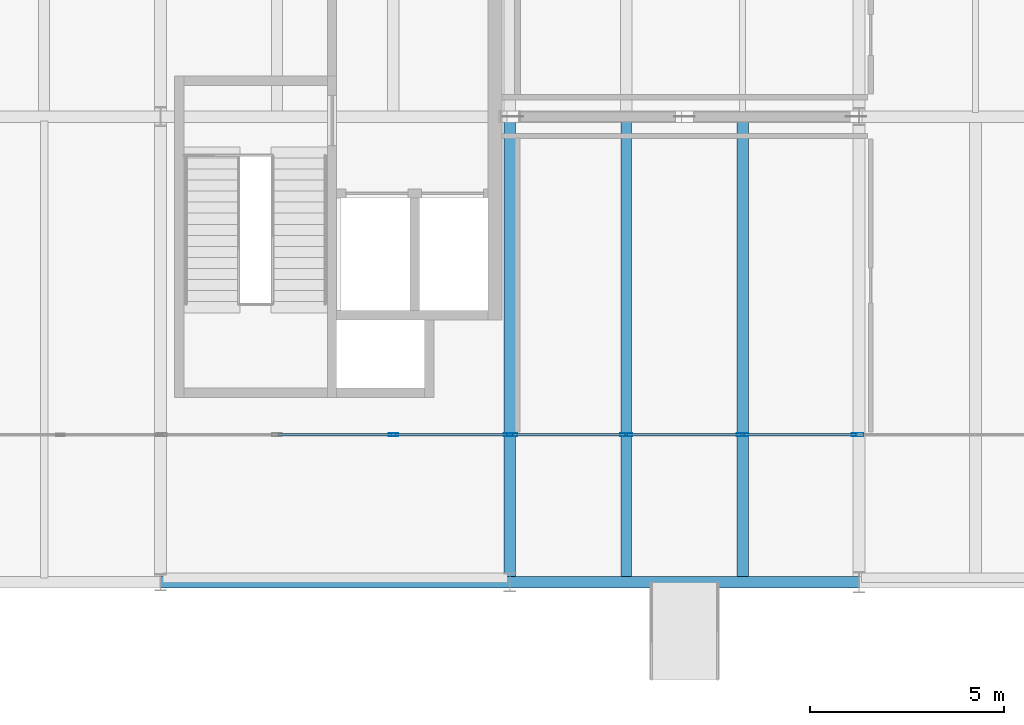
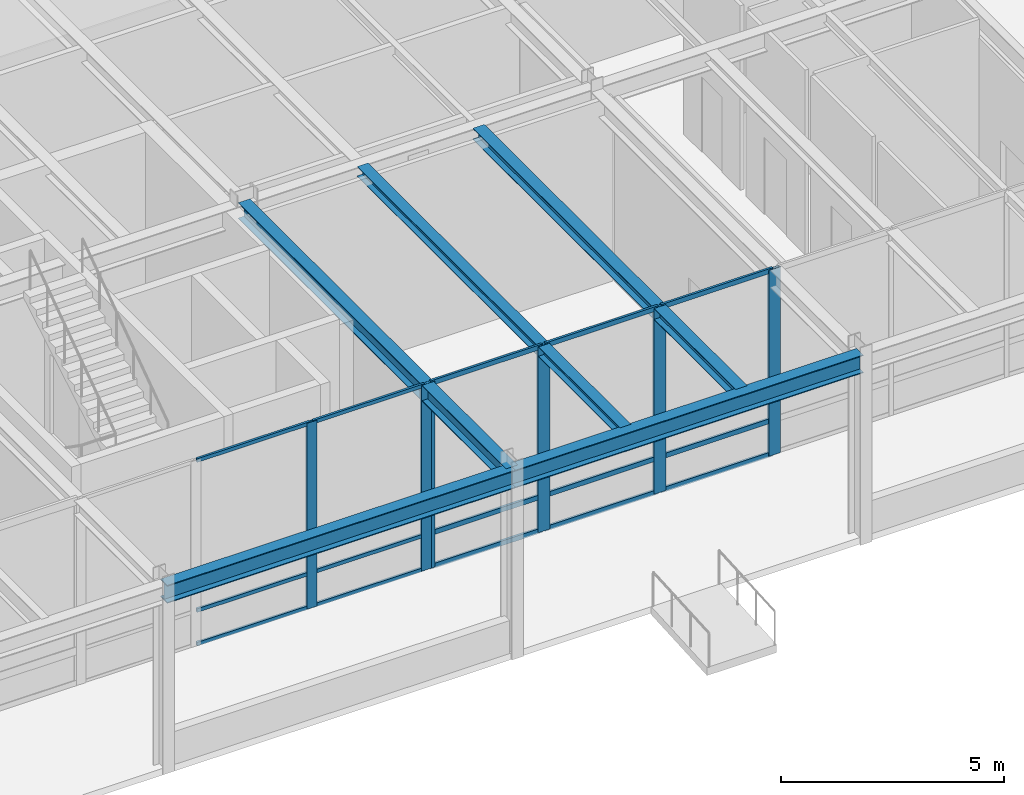
# One storey, part 35 of 143: 21 members, 5 beams, 2 elements without a shape of their own.
"""IFC4 building model written with IfcOpenShell, lengths in metres."""

from ifc_helpers import new_model, si_unit, direction, frame, origin, origin_2d, place, context, subcontext, project, spatial, hollow_rectangle, i_section, extrude, material, layer, layer_set, material_profile, profile_set, type_object, element, aggregate, save


model = new_model("IFC4")

# Units and contexts
model_context = context("Model", 3, precision=1e-05, world=origin(), true_north=direction((0.0, 1.0)))
body_context = subcontext(model_context, "Body", "Model", "MODEL_VIEW")
ifc_project = project(units=[si_unit("LENGTHUNIT", "METRE"), si_unit("AREAUNIT", "SQUARE_METRE"), si_unit("VOLUMEUNIT", "CUBIC_METRE"), si_unit("PLANEANGLEUNIT", "RADIAN"), si_unit("MASSUNIT", "GRAM", prefix="KILO")], contexts=[model_context])

# Site, building, storey
site_placement = place(None, origin())
site = spatial("IfcSite", under=ifc_project, at=site_placement, CompositionType="ELEMENT")
building_placement = place(site_placement, origin())
building = spatial("IfcBuilding", under=site, at=building_placement, Name="Montelvaro Courts of Justice", CompositionType="ELEMENT")
storey_placement = place(building_placement, origin())
storey = spatial("IfcBuildingStorey", under=building, at=storey_placement, Name="L00", CompositionType="ELEMENT", Elevation=0.0)

# Beams
ifc_material_1 = material(Name="Steel S355", Category="steel")
ifc_material_profile_1 = material_profile(ifc_material_1, i_section(OverallWidth=0.280029296875, OverallDepth=0.27001953125, WebThickness=0.008056640625, FlangeThickness=0.012939453125, at=origin_2d()), Name="HEA 280")
ifc_profile_set_1 = profile_set([ifc_material_profile_1], Name="Steel S355")
beam_type_1 = type_object("IfcBeamType", Name="Beam_HEA280", PredefinedType="BEAM", material=ifc_profile_set_1)
beam_1_placement = place(storey_placement, frame((120.0, 0.110107421875, 4.945068359375), z_axis=(0.0, 1.0, 0.0), x_axis=(-1.0, 0.0, 0.0)))
element("IfcBeam", 1, at=beam_1_placement, inside=storey, type_object=beam_type_1, Name="Beam B-14 L00", PredefinedType="BEAM", context=body_context, shape_type="SweptSolid", body=[
    extrude(i_section(OverallWidth=0.280029296875, OverallDepth=0.27001953125, WebThickness=0.008056640625, FlangeThickness=0.012939453125, at=origin_2d()), origin(), (0.0, 0.0, 1.0), 11.77978515625),
])
ifc_material_profile_2 = material_profile(ifc_material_1, i_section(OverallWidth=0.300048828125, OverallDepth=0.31005859375, WebThickness=0.009033203125, FlangeThickness=0.015380859375, at=origin_2d()), Name="HEA 320")
ifc_profile_set_2 = profile_set([ifc_material_profile_2], Name="Steel S355")
beam_type_2 = type_object("IfcBeamType", Name="Beam_HEA320", PredefinedType="BEAM", material=ifc_profile_set_2)
beam_2_placement = place(storey_placement, frame((123.0, 0.110107421875, 4.925048828125), z_axis=(0.0, 1.0, 0.0), x_axis=(-1.0, 0.0, 0.0)))
element("IfcBeam", 2, at=beam_2_placement, inside=storey, type_object=beam_type_2, Name="Beam B-15 L00", PredefinedType="BEAM", context=body_context, shape_type="SweptSolid", body=[
    extrude(i_section(OverallWidth=0.300048828125, OverallDepth=0.31005859375, WebThickness=0.009033203125, FlangeThickness=0.015380859375, at=origin_2d()), origin(), (0.0, 0.0, 1.0), 11.77978515625),
])
ifc_material_profile_3 = material_profile(ifc_material_1, i_section(OverallWidth=0.300048828125, OverallDepth=0.43994140625, WebThickness=0.011474609375, FlangeThickness=0.02099609375, at=origin_2d()), Name="HEA 450")
ifc_profile_set_3 = profile_set([ifc_material_profile_3], Name="Steel S355")
beam_type_3 = type_object("IfcBeamType", Name="Beam_HEA450", PredefinedType="USERDEFINED", material=ifc_profile_set_3)
beam_3_placement = place(storey_placement, frame((117.0, 0.0, 4.860107421875), z_axis=(0.0, 1.0, 0.0), x_axis=(-1.0, 0.0, 0.0)))
element("IfcBeam", 3, at=beam_3_placement, inside=storey, type_object=beam_type_3, Name="Beam B-18 L00", ObjectType="GIRDER", PredefinedType="USERDEFINED", context=body_context, shape_type="SweptSolid", body=[
    extrude(i_section(OverallWidth=0.300048828125, OverallDepth=0.43994140625, WebThickness=0.011474609375, FlangeThickness=0.02099609375, at=origin_2d()), origin(), (0.0, 0.0, 1.0), 12.0),
])
ifc_material_profile_4 = material_profile(ifc_material_1, i_section(OverallWidth=0.300048828125, OverallDepth=0.489990234375, WebThickness=0.011962890625, FlangeThickness=0.02294921875, at=origin_2d()), Name="HEA 500")
ifc_profile_set_4 = profile_set([ifc_material_profile_4], Name="Steel S355")
beam_type_4 = type_object("IfcBeamType", Name="Beam_HEA500", PredefinedType="USERDEFINED", material=ifc_profile_set_4)
for number, where, z_axis, x_axis, name in (
    (4, (108.0, 0.0, 4.8349609375), (1.0, 0.0, 0.0), (0.0, 1.0, 0.0), "Beam B-19 L00"),
    (5, (117.0, 0.0, 4.8349609375), (1.0, 0.0, 0.0), (0.0, 1.0, 0.0), "Beam B-19 L00"),
):
    element("IfcBeam", number, at=place(storey_placement, frame(where, z_axis=z_axis, x_axis=x_axis)), inside=storey, type_object=beam_type_4, Name=name, ObjectType="GIRDER", PredefinedType="USERDEFINED", context=body_context, shape_type="SweptSolid", body=[
        extrude(i_section(OverallWidth=0.300048828125, OverallDepth=0.489990234375, WebThickness=0.011962890625, FlangeThickness=0.02294921875, at=origin_2d()), origin(), (0.0, 0.0, 1.0), 9.0),
    ])

# Curtain wall, members
ifc_material_2 = material(Name="Anodised aluminium EN AW-6063", Category="aluminium")
ifc_layer = layer(ifc_material_2, 0.159912109375)
ifc_layer_set = layer_set([ifc_layer], Name="Anodised aluminium EN AW-6063")
curtain_wall_type = type_object("IfcCurtainWallType", Name="CurtainWall_11_900x508", PredefinedType="USERDEFINED", material=ifc_layer_set)
curtain_wall_1_placement = place(storey_placement, origin())
curtain_wall_1 = element("IfcCurtainWall", 6, at=curtain_wall_1_placement, inside=storey, type_object=curtain_wall_type, Name="Curtain Wall CW-11 (L00)", ObjectType="CURTAIN WALL", PredefinedType="USERDEFINED")
ifc_material_profile_5 = material_profile(ifc_material_2, hollow_rectangle(XDim=0.074951171875, YDim=0.25, WallThickness=0.005615234375, at=origin_2d()), Name="ALU-M 75x250")
ifc_profile_set_5 = profile_set([ifc_material_profile_5], Name="Anodised aluminium EN AW-6063")
member_type_1 = type_object("IfcMemberType", Name="CurtainWall_Mullion_75x250", PredefinedType="MULLION", material=ifc_profile_set_5)
member_1_placement = place(storey_placement, frame((114.0, 3.800048828125, 0.0), z_axis=(0.0, 0.0, 1.0), x_axis=(0.0, 1.0, 0.0)))
member_1 = element("IfcMember", 7, at=member_1_placement, type_object=member_type_1, Name="CW-11 mullion 3", PredefinedType="MULLION", context=body_context, shape_type="SweptSolid", body=[
    extrude(hollow_rectangle(XDim=0.074951171875, YDim=0.25, WallThickness=0.005615234375, at=origin_2d()), origin(), (0.0, 0.0, 1.0), 5.080078125),
])
member_2_placement = place(storey_placement, frame((116.96240234375, 3.800048828125, 0.0), z_axis=(0.0, 0.0, 1.0), x_axis=(0.0, 1.0, 0.0)))
member_2 = element("IfcMember", 8, at=member_2_placement, type_object=member_type_1, Name="CW-11 mullion 4", PredefinedType="MULLION", context=body_context, shape_type="SweptSolid", body=[
    extrude(hollow_rectangle(XDim=0.074951171875, YDim=0.25, WallThickness=0.005615234375, at=origin_2d()), origin(), (0.0, 0.0, 1.0), 5.080078125),
])

curtain_wall_2_placement = place(storey_placement, origin())
curtain_wall_2 = element("IfcCurtainWall", 9, at=curtain_wall_2_placement, inside=storey, type_object=curtain_wall_type, Name="Curtain Wall CW-11 (L00)", ObjectType="CURTAIN WALL", PredefinedType="USERDEFINED")
ifc_material_profile_6 = material_profile(ifc_material_2, hollow_rectangle(XDim=0.074951171875, YDim=0.300048828125, WallThickness=0.006103515625, at=origin_2d()), Name="ALU-M 75x300")
ifc_profile_set_6 = profile_set([ifc_material_profile_6], Name="Anodised aluminium EN AW-6063")
member_type_2 = type_object("IfcMemberType", Name="CurtainWall_Mullion_75x300", PredefinedType="MULLION", material=ifc_profile_set_6)
member_3_placement = place(storey_placement, frame((117.03759765625, 3.800048828125, 0.0), z_axis=(0.0, 0.0, 1.0), x_axis=(0.0, 1.0, 0.0)))
member_3 = element("IfcMember", 10, at=member_3_placement, type_object=member_type_2, Name="CW-11 mullion 1", PredefinedType="MULLION", context=body_context, shape_type="SweptSolid", body=[
    extrude(hollow_rectangle(XDim=0.074951171875, YDim=0.300048828125, WallThickness=0.006103515625, at=origin_2d()), origin(), (0.0, 0.0, 1.0), 5.080078125),
])
member_4_placement = place(storey_placement, frame((120.0, 3.800048828125, 0.0), z_axis=(0.0, 0.0, 1.0), x_axis=(0.0, 1.0, 0.0)))
member_4 = element("IfcMember", 11, at=member_4_placement, type_object=member_type_2, Name="CW-11 mullion 2", PredefinedType="MULLION", context=body_context, shape_type="SweptSolid", body=[
    extrude(hollow_rectangle(XDim=0.074951171875, YDim=0.300048828125, WallThickness=0.006103515625, at=origin_2d()), origin(), (0.0, 0.0, 1.0), 5.080078125),
])
member_5_placement = place(storey_placement, frame((123.0, 3.800048828125, 0.0), z_axis=(0.0, 0.0, 1.0), x_axis=(0.0, 1.0, 0.0)))
member_5 = element("IfcMember", 12, at=member_5_placement, type_object=member_type_2, Name="CW-11 mullion 3", PredefinedType="MULLION", context=body_context, shape_type="SweptSolid", body=[
    extrude(hollow_rectangle(XDim=0.074951171875, YDim=0.300048828125, WallThickness=0.006103515625, at=origin_2d()), origin(), (0.0, 0.0, 1.0), 5.080078125),
])
member_6_placement = place(storey_placement, frame((125.96240234375, 3.800048828125, 0.0), z_axis=(0.0, 0.0, 1.0), x_axis=(0.0, 1.0, 0.0)))
member_6 = element("IfcMember", 13, at=member_6_placement, type_object=member_type_2, Name="CW-11 mullion 4", PredefinedType="MULLION", context=body_context, shape_type="SweptSolid", body=[
    extrude(hollow_rectangle(XDim=0.074951171875, YDim=0.300048828125, WallThickness=0.006103515625, at=origin_2d()), origin(), (0.0, 0.0, 1.0), 5.080078125),
])

# Member
ifc_material_profile_7 = material_profile(ifc_material_2, hollow_rectangle(XDim=0.06005859375, YDim=0.10009765625, WallThickness=0.00341796875, at=origin_2d()), Name="ALU-T 60x100")
ifc_profile_set_7 = profile_set([ifc_material_profile_7], Name="Anodised aluminium EN AW-6063")
member_type_3 = type_object("IfcMemberType", Name="CurtainWall_Transom_60x100", PredefinedType="USERDEFINED", material=ifc_profile_set_7)
member_7_placement = place(storey_placement, frame((111.03759765625, 3.800048828125, 0.030029296875), z_axis=(1.0, 0.0, 0.0), x_axis=(0.0, 1.0, 0.0)))
member_7 = element("IfcMember", 14, at=member_7_placement, type_object=member_type_3, Name="CW-11 transom 2.1", ObjectType="TRANSOM", PredefinedType="USERDEFINED", context=body_context, shape_type="SweptSolid", body=[
    extrude(hollow_rectangle(XDim=0.06005859375, YDim=0.10009765625, WallThickness=0.00341796875, at=origin_2d()), origin(), (0.0, 0.0, 1.0), 2.9248046875),
])

member_8_placement = place(storey_placement, frame((111.03759765625, 3.800048828125, 0.949951171875), z_axis=(1.0, 0.0, 0.0), x_axis=(0.0, 1.0, 0.0)))
member_8 = element("IfcMember", 15, at=member_8_placement, type_object=member_type_3, Name="CW-11 transom 2.2", ObjectType="TRANSOM", PredefinedType="USERDEFINED", context=body_context, shape_type="SweptSolid", body=[
    extrude(hollow_rectangle(XDim=0.06005859375, YDim=0.10009765625, WallThickness=0.00341796875, at=origin_2d()), origin(), (0.0, 0.0, 1.0), 2.9248046875),
])

member_9_placement = place(storey_placement, frame((111.03759765625, 3.800048828125, 5.050048828125), z_axis=(1.0, 0.0, 0.0), x_axis=(0.0, 1.0, 0.0)))
member_9 = element("IfcMember", 16, at=member_9_placement, type_object=member_type_3, Name="CW-11 transom 2.3", ObjectType="TRANSOM", PredefinedType="USERDEFINED", context=body_context, shape_type="SweptSolid", body=[
    extrude(hollow_rectangle(XDim=0.06005859375, YDim=0.10009765625, WallThickness=0.00341796875, at=origin_2d()), origin(), (0.0, 0.0, 1.0), 2.9248046875),
])

member_10_placement = place(storey_placement, frame((114.03759765625, 3.800048828125, 0.030029296875), z_axis=(1.0, 0.0, 0.0), x_axis=(0.0, 1.0, 0.0)))
member_10 = element("IfcMember", 17, at=member_10_placement, type_object=member_type_3, Name="CW-11 transom 3.1", ObjectType="TRANSOM", PredefinedType="USERDEFINED", context=body_context, shape_type="SweptSolid", body=[
    extrude(hollow_rectangle(XDim=0.06005859375, YDim=0.10009765625, WallThickness=0.00341796875, at=origin_2d()), origin(), (0.0, 0.0, 1.0), 2.887451171875),
])

member_11_placement = place(storey_placement, frame((114.03759765625, 3.800048828125, 0.949951171875), z_axis=(1.0, 0.0, 0.0), x_axis=(0.0, 1.0, 0.0)))
member_11 = element("IfcMember", 18, at=member_11_placement, type_object=member_type_3, Name="CW-11 transom 3.2", ObjectType="TRANSOM", PredefinedType="USERDEFINED", context=body_context, shape_type="SweptSolid", body=[
    extrude(hollow_rectangle(XDim=0.06005859375, YDim=0.10009765625, WallThickness=0.00341796875, at=origin_2d()), origin(), (0.0, 0.0, 1.0), 2.887451171875),
])

member_12_placement = place(storey_placement, frame((114.03759765625, 3.800048828125, 5.050048828125), z_axis=(1.0, 0.0, 0.0), x_axis=(0.0, 1.0, 0.0)))
member_12 = element("IfcMember", 19, at=member_12_placement, type_object=member_type_3, Name="CW-11 transom 3.3", ObjectType="TRANSOM", PredefinedType="USERDEFINED", context=body_context, shape_type="SweptSolid", body=[
    extrude(hollow_rectangle(XDim=0.06005859375, YDim=0.10009765625, WallThickness=0.00341796875, at=origin_2d()), origin(), (0.0, 0.0, 1.0), 2.887451171875),
])

aggregate(curtain_wall_1, [member_1, member_2, member_7, member_8, member_9, member_10, member_11, member_12])

ifc_material_profile_8 = material_profile(ifc_material_2, hollow_rectangle(XDim=0.06005859375, YDim=0.1298828125, WallThickness=0.00390625, at=origin_2d()), Name="ALU-T 60x130")
ifc_profile_set_8 = profile_set([ifc_material_profile_8], Name="Anodised aluminium EN AW-6063")
member_type_4 = type_object("IfcMemberType", Name="CurtainWall_Transom_60x130", PredefinedType="USERDEFINED", material=ifc_profile_set_8)
member_13_placement = place(storey_placement, frame((117.074951171875, 3.800048828125, 0.030029296875), z_axis=(1.0, 0.0, 0.0), x_axis=(0.0, 1.0, 0.0)))
member_13 = element("IfcMember", 20, at=member_13_placement, type_object=member_type_4, Name="CW-11 transom 1.1", ObjectType="TRANSOM", PredefinedType="USERDEFINED", context=body_context, shape_type="SweptSolid", body=[
    extrude(hollow_rectangle(XDim=0.06005859375, YDim=0.1298828125, WallThickness=0.00390625, at=origin_2d()), origin(), (0.0, 0.0, 1.0), 2.887451171875),
])

member_14_placement = place(storey_placement, frame((117.074951171875, 3.800048828125, 0.949951171875), z_axis=(1.0, 0.0, 0.0), x_axis=(0.0, 1.0, 0.0)))
member_14 = element("IfcMember", 21, at=member_14_placement, type_object=member_type_4, Name="CW-11 transom 1.2", ObjectType="TRANSOM", PredefinedType="USERDEFINED", context=body_context, shape_type="SweptSolid", body=[
    extrude(hollow_rectangle(XDim=0.06005859375, YDim=0.1298828125, WallThickness=0.00390625, at=origin_2d()), origin(), (0.0, 0.0, 1.0), 2.887451171875),
])

member_15_placement = place(storey_placement, frame((117.074951171875, 3.800048828125, 5.050048828125), z_axis=(1.0, 0.0, 0.0), x_axis=(0.0, 1.0, 0.0)))
member_15 = element("IfcMember", 22, at=member_15_placement, type_object=member_type_4, Name="CW-11 transom 1.3", ObjectType="TRANSOM", PredefinedType="USERDEFINED", context=body_context, shape_type="SweptSolid", body=[
    extrude(hollow_rectangle(XDim=0.06005859375, YDim=0.1298828125, WallThickness=0.00390625, at=origin_2d()), origin(), (0.0, 0.0, 1.0), 2.887451171875),
])

member_16_placement = place(storey_placement, frame((120.03759765625, 3.800048828125, 0.030029296875), z_axis=(1.0, 0.0, 0.0), x_axis=(0.0, 1.0, 0.0)))
member_16 = element("IfcMember", 23, at=member_16_placement, type_object=member_type_4, Name="CW-11 transom 2.1", ObjectType="TRANSOM", PredefinedType="USERDEFINED", context=body_context, shape_type="SweptSolid", body=[
    extrude(hollow_rectangle(XDim=0.06005859375, YDim=0.1298828125, WallThickness=0.00390625, at=origin_2d()), origin(), (0.0, 0.0, 1.0), 2.9248046875),
])

member_17_placement = place(storey_placement, frame((120.03759765625, 3.800048828125, 0.949951171875), z_axis=(1.0, 0.0, 0.0), x_axis=(0.0, 1.0, 0.0)))
member_17 = element("IfcMember", 24, at=member_17_placement, type_object=member_type_4, Name="CW-11 transom 2.2", ObjectType="TRANSOM", PredefinedType="USERDEFINED", context=body_context, shape_type="SweptSolid", body=[
    extrude(hollow_rectangle(XDim=0.06005859375, YDim=0.1298828125, WallThickness=0.00390625, at=origin_2d()), origin(), (0.0, 0.0, 1.0), 2.9248046875),
])

member_18_placement = place(storey_placement, frame((120.03759765625, 3.800048828125, 5.050048828125), z_axis=(1.0, 0.0, 0.0), x_axis=(0.0, 1.0, 0.0)))
member_18 = element("IfcMember", 25, at=member_18_placement, type_object=member_type_4, Name="CW-11 transom 2.3", ObjectType="TRANSOM", PredefinedType="USERDEFINED", context=body_context, shape_type="SweptSolid", body=[
    extrude(hollow_rectangle(XDim=0.06005859375, YDim=0.1298828125, WallThickness=0.00390625, at=origin_2d()), origin(), (0.0, 0.0, 1.0), 2.9248046875),
])

member_19_placement = place(storey_placement, frame((123.03759765625, 3.800048828125, 0.030029296875), z_axis=(1.0, 0.0, 0.0), x_axis=(0.0, 1.0, 0.0)))
member_19 = element("IfcMember", 26, at=member_19_placement, type_object=member_type_4, Name="CW-11 transom 3.1", ObjectType="TRANSOM", PredefinedType="USERDEFINED", context=body_context, shape_type="SweptSolid", body=[
    extrude(hollow_rectangle(XDim=0.06005859375, YDim=0.1298828125, WallThickness=0.00390625, at=origin_2d()), origin(), (0.0, 0.0, 1.0), 2.887451171875),
])

member_20_placement = place(storey_placement, frame((123.03759765625, 3.800048828125, 0.949951171875), z_axis=(1.0, 0.0, 0.0), x_axis=(0.0, 1.0, 0.0)))
member_20 = element("IfcMember", 27, at=member_20_placement, type_object=member_type_4, Name="CW-11 transom 3.2", ObjectType="TRANSOM", PredefinedType="USERDEFINED", context=body_context, shape_type="SweptSolid", body=[
    extrude(hollow_rectangle(XDim=0.06005859375, YDim=0.1298828125, WallThickness=0.00390625, at=origin_2d()), origin(), (0.0, 0.0, 1.0), 2.887451171875),
])

member_21_placement = place(storey_placement, frame((123.03759765625, 3.800048828125, 5.050048828125), z_axis=(1.0, 0.0, 0.0), x_axis=(0.0, 1.0, 0.0)))
member_21 = element("IfcMember", 28, at=member_21_placement, type_object=member_type_4, Name="CW-11 transom 3.3", ObjectType="TRANSOM", PredefinedType="USERDEFINED", context=body_context, shape_type="SweptSolid", body=[
    extrude(hollow_rectangle(XDim=0.06005859375, YDim=0.1298828125, WallThickness=0.00390625, at=origin_2d()), origin(), (0.0, 0.0, 1.0), 2.887451171875),
])

aggregate(curtain_wall_2, [member_3, member_4, member_5, member_6, member_13, member_14, member_15, member_16, member_17, member_18, member_19, member_20, member_21])

save(model, "model.ifc")
